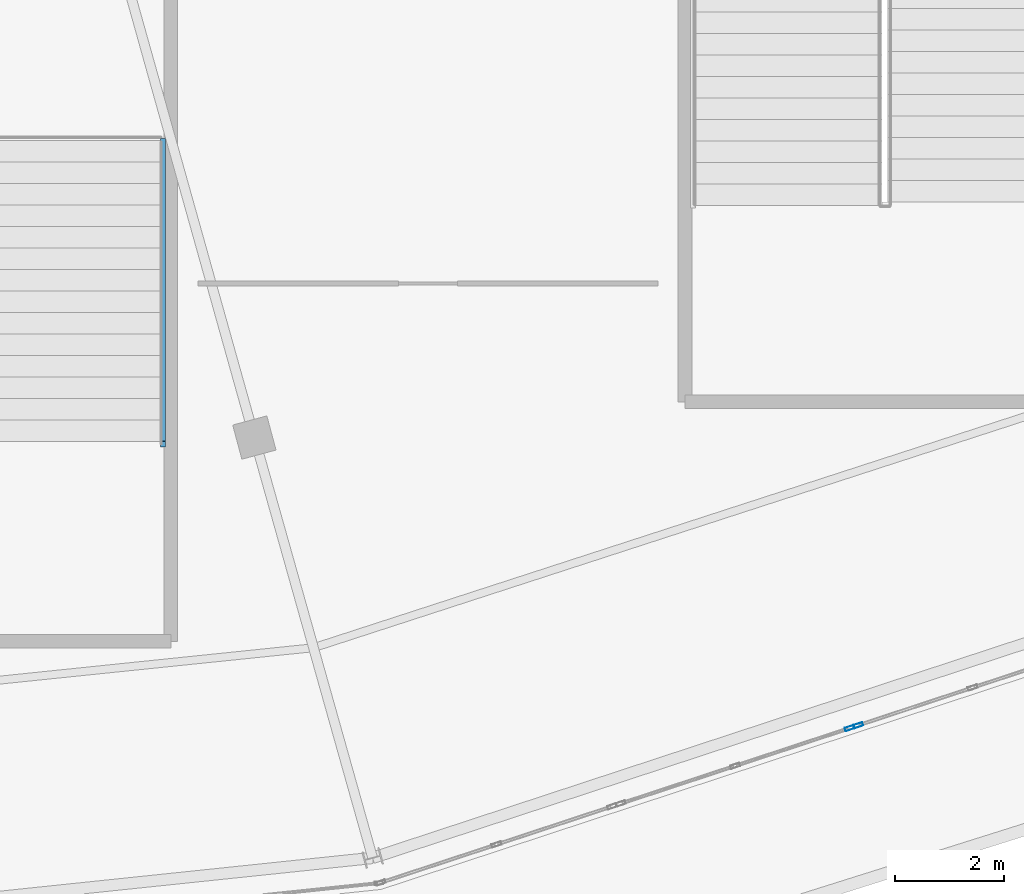
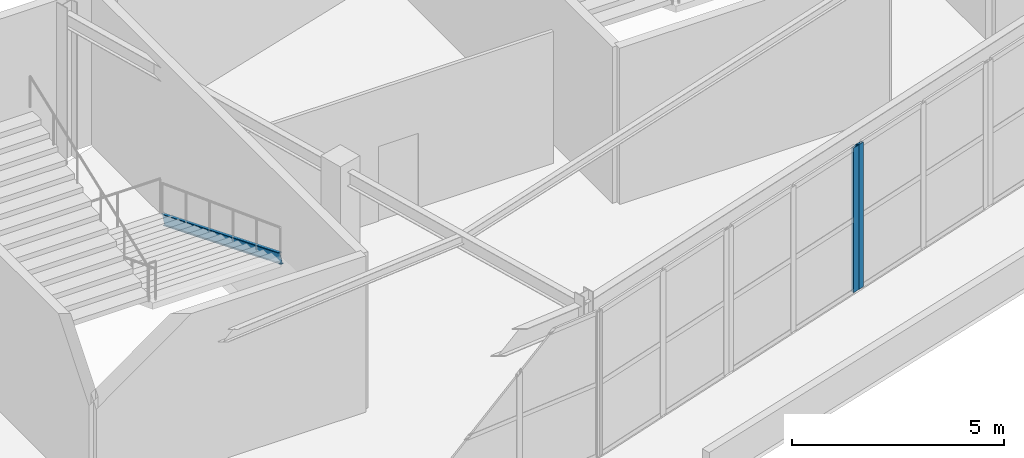
# One storey, part 44 of 126: 3 members, 2 elements without a shape of their own.
"""IFC4 building model written with IfcOpenShell, lengths in metres."""

from ifc_helpers import new_model, si_unit, direction, frame, origin, origin_2d, place, context, subcontext, project, spatial, hollow_rectangle, i_section, extrude, material, layer, layer_set, material_profile, profile_set, type_object, element, aggregate, save


model = new_model("IFC4")

# Units and contexts
model_context = context("Model", 3, precision=1e-05, world=origin(), true_north=direction((0.0, 1.0)))
body_context = subcontext(model_context, "Body", "Model", "MODEL_VIEW")
ifc_project = project(units=[si_unit("LENGTHUNIT", "METRE"), si_unit("AREAUNIT", "SQUARE_METRE"), si_unit("VOLUMEUNIT", "CUBIC_METRE"), si_unit("PLANEANGLEUNIT", "RADIAN"), si_unit("MASSUNIT", "GRAM", prefix="KILO")], contexts=[model_context])

# Site, building, storey
site_placement = place(None, origin())
site = spatial("IfcSite", under=ifc_project, at=site_placement, CompositionType="ELEMENT")
building_placement = place(site_placement, origin())
building = spatial("IfcBuilding", under=site, at=building_placement, Name="Kalgoora Escarpment Arena", CompositionType="ELEMENT")
storey_placement = place(building_placement, frame((0.0, 0.0, 18.89990234375)))
storey = spatial("IfcBuildingStorey", under=building, at=storey_placement, Name="L04", CompositionType="ELEMENT", Elevation=18.89990234375)

# Curtain wall, member
ifc_material_1 = material(Name=" Champagne anodised aluminium & double-glazed low-E", Category="aluminium")
ifc_layer_1 = layer(ifc_material_1, 0.162109375)
ifc_layer_set_1 = layer_set([ifc_layer_1], Name="CW-UNIT-08")
curtain_wall_type_1 = type_object("IfcCurtainWallType", Name="CW-UNIT-08", PredefinedType="NOTDEFINED", material=ifc_layer_set_1)
curtain_wall_1_placement = place(storey_placement, origin())
curtain_wall_1 = element("IfcCurtainWall", 1, at=curtain_wall_1_placement, inside=storey, type_object=curtain_wall_type_1, Name="L04 unitised facade curtain wall 107", PredefinedType="NOTDEFINED")
ifc_material_2 = material(Name="Anodised aluminium 6063-T6", Category="aluminium")
ifc_material_profile_1 = material_profile(ifc_material_2, hollow_rectangle(XDim=0.06494140625, YDim=0.179931640625, WallThickness=0.00390625, at=origin_2d()))
ifc_profile_set_1 = profile_set([ifc_material_profile_1], Name="Anodised aluminium 6063-T6")
member_type_1 = type_object("IfcMemberType", Name="MEM-CW-MULL-180", PredefinedType="MULLION", material=ifc_profile_set_1)
member_1_placement = place(storey_placement, frame((119.91015625, 11.379638671875, 0.02001953125), z_axis=(0.0, 0.0, 1.0), x_axis=(0.312989939956, -0.94975644114, 0.0)))
member_1 = element("IfcMember", 2, at=member_1_placement, type_object=member_type_1, Name="CW-08 mullion 3", PredefinedType="MULLION", context=body_context, shape_type="SweptSolid", body=[
    extrude(hollow_rectangle(XDim=0.06494140625, YDim=0.179931640625, WallThickness=0.00390625, at=origin_2d()), origin(), (0.0, 0.0, 1.0), 4.170166015625),
])
aggregate(curtain_wall_1, [member_1])

ifc_material_3 = material(Name=" Champagne anodised aluminium & double-glazed low-E", Category="aluminium")
ifc_layer_2 = layer(ifc_material_3, 0.166015625)
ifc_layer_set_2 = layer_set([ifc_layer_2], Name="CW-UNIT-09")
curtain_wall_type_2 = type_object("IfcCurtainWallType", Name="CW-UNIT-09", PredefinedType="NOTDEFINED", material=ifc_layer_set_2)
curtain_wall_2_placement = place(storey_placement, origin())
curtain_wall_2 = element("IfcCurtainWall", 3, at=curtain_wall_2_placement, inside=storey, type_object=curtain_wall_type_2, Name="L04 unitised facade curtain wall 108", PredefinedType="NOTDEFINED")
member_2_placement = place(storey_placement, frame((119.75341796875, 11.327880859375, 0.02001953125), z_axis=(0.0, 0.0, 1.0), x_axis=(0.312969878028, -0.949763052265, 0.0)))
member_2 = element("IfcMember", 4, at=member_2_placement, type_object=member_type_1, Name="CW-09 mullion 1", PredefinedType="MULLION", context=body_context, shape_type="SweptSolid", body=[
    extrude(hollow_rectangle(XDim=0.06494140625, YDim=0.179931640625, WallThickness=0.00390625, at=origin_2d()), origin(), (0.0, 0.0, 1.0), 4.170166015625),
])
aggregate(curtain_wall_2, [member_2])

# Member
ifc_material_4 = material(Name="Structural steel AS/NZS 3679 (300 MPa)", Category="steel")
ifc_material_profile_2 = material_profile(ifc_material_4, i_section(OverallWidth=0.090087890625, OverallDepth=0.300048828125, WebThickness=0.008056640625, FlangeThickness=0.01611328125, at=origin_2d()))
ifc_profile_set_2 = profile_set([ifc_material_profile_2], Name="Structural steel AS/NZS 3679 (300 MPa)")
member_type_2 = type_object("IfcMemberType", Name="MEM-STRINGER-PFC", PredefinedType="STRINGER", material=ifc_profile_set_2)
member_3_placement = place(storey_placement, frame((107.1298828125, 22.110107421875, -0.039794921875), z_axis=(0.0, -0.926975796404, 0.375121144273), x_axis=(1.0, 0.0, 0.0)))
element("IfcMember", 5, at=member_3_placement, inside=storey, type_object=member_type_2, Name="ST15 L04 steel stair stringer 1", PredefinedType="STRINGER", context=body_context, shape_type="SweptSolid", body=[
    extrude(i_section(OverallWidth=0.090087890625, OverallDepth=0.300048828125, WebThickness=0.008056640625, FlangeThickness=0.01611328125, at=origin_2d()), origin(), (0.0, 0.0, 1.0), 5.998046875),
])

save(model, "model.ifc")
